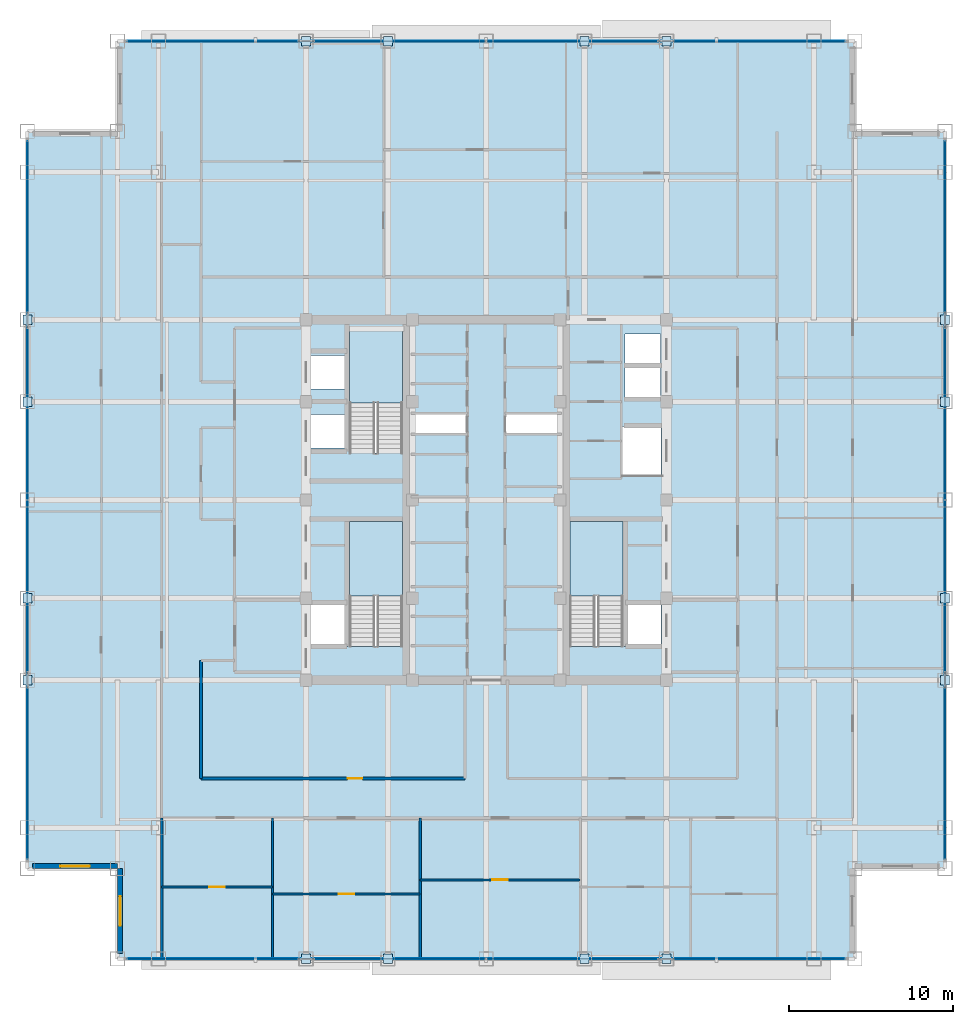
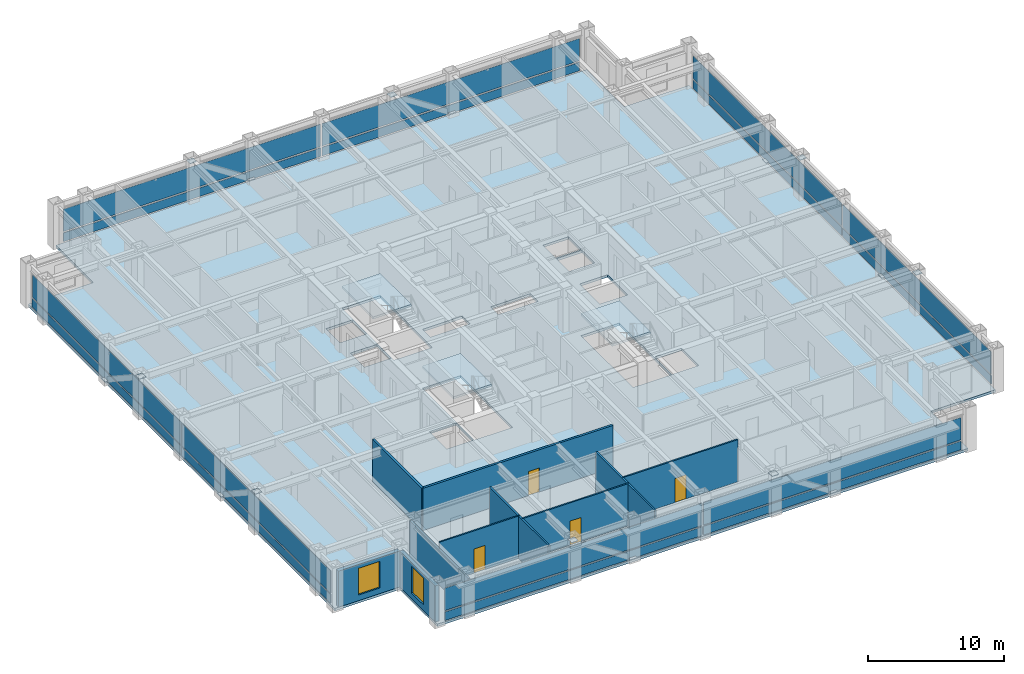
# One storey, part 19 of 29: 32 plates, 10 walls, 4 doors, 4 slabs, 2 windows, 6 openings, 7 elements without a shape of their own.
"""IFC4 building model written with IfcOpenShell, lengths in metres."""

from ifc_helpers import new_model, si_unit, direction, frame, frame_2d, origin, origin_2d, place, context, subcontext, project, spatial, polyline, rectangle, outline, extrude, source, transform, mapped, material, layer, layer_set, type_object, element, fill, aggregate, save


model = new_model("IFC4")

# Units and contexts
model_context = context("Model", 3, precision=1e-05, world=origin(), true_north=direction((0.0, 1.0)))
body_context = subcontext(model_context, "Body", "Model", "MODEL_VIEW")
ifc_project = project(units=[si_unit("LENGTHUNIT", "METRE"), si_unit("AREAUNIT", "SQUARE_METRE"), si_unit("VOLUMEUNIT", "CUBIC_METRE"), si_unit("PLANEANGLEUNIT", "RADIAN"), si_unit("MASSUNIT", "GRAM", prefix="KILO")], contexts=[model_context])

# Site, building, storey
site_placement = place(None, origin())
site = spatial("IfcSite", under=ifc_project, at=site_placement, CompositionType="ELEMENT")
building_placement = place(site_placement, origin())
building = spatial("IfcBuilding", under=site, at=building_placement, Name="Khorayat Bourse Tower", CompositionType="ELEMENT")
storey_placement = place(building_placement, frame((0.0, 0.0, 277.5)))
storey = spatial("IfcBuildingStorey", under=building, at=storey_placement, Name="L65", CompositionType="ELEMENT", Elevation=277.5)

# Stair, slab
ifc_material_1 = material(Name="Concrete C40/50", Category="concrete")
stair_type = type_object("IfcStairType", Name="STR-CORE-1550", PredefinedType="HALF_TURN_STAIR", material=ifc_material_1)
stair_1_placement = place(storey_placement, origin())
stair_1 = element("IfcStair", 1, at=stair_1_placement, inside=storey, type_object=stair_type, Name="L65 Exit Stair ST-1", PredefinedType="HALF_TURN_STAIR")
ifc_layer_1 = layer(ifc_material_1, 0.199951171875)
ifc_layer_set_1 = layer_set([ifc_layer_1], Name="Concrete C40/50")
slab_type_1 = type_object("IfcSlabType", Name="SLB-LANDING-200", PredefinedType="LANDING", material=ifc_layer_set_1)
slab_1_placement = place(storey_placement, frame((0.0, 0.0, 1.800048828125)))
slab_1 = element("IfcSlab", 2, at=slab_1_placement, type_object=slab_type_1, Name="ST-1 landing 1", PredefinedType="LANDING", context=body_context, shape_type="SweptSolid", body=[
    extrude(outline(polyline([(-5.10009765625, -5.8701171875), (-5.10009765625, -1.300048828125), (-8.35009765625, -1.300048828125), (-8.35009765625, -5.8701171875), (-5.10009765625, -5.8701171875)])), origin(), (0.0, 0.0, 1.0), 0.199951171875),
])
aggregate(stair_1, [slab_1])

stair_2_placement = place(storey_placement, origin())
stair_2 = element("IfcStair", 3, at=stair_2_placement, inside=storey, type_object=stair_type, Name="L65 Exit Stair ST-2", PredefinedType="HALF_TURN_STAIR")
slab_2_placement = place(storey_placement, frame((0.0, 0.0, 1.800048828125)))
slab_2 = element("IfcSlab", 4, at=slab_2_placement, type_object=slab_type_1, Name="ST-2 landing 1", PredefinedType="LANDING", context=body_context, shape_type="SweptSolid", body=[
    extrude(outline(polyline([(-5.10009765625, 5.929931640625), (-5.10009765625, 10.5), (-8.35009765625, 10.5), (-8.35009765625, 5.929931640625), (-5.10009765625, 5.929931640625)])), origin(), (0.0, 0.0, 1.0), 0.199951171875),
])
aggregate(stair_2, [slab_2])

stair_3_placement = place(storey_placement, origin())
stair_3 = element("IfcStair", 5, at=stair_3_placement, inside=storey, type_object=stair_type, Name="L65 Exit Stair ST-3", PredefinedType="HALF_TURN_STAIR")
slab_3_placement = place(storey_placement, frame((0.0, 0.0, 1.800048828125)))
slab_3 = element("IfcSlab", 6, at=slab_3_placement, type_object=slab_type_1, Name="ST-3 landing 1", PredefinedType="LANDING", context=body_context, shape_type="SweptSolid", body=[
    extrude(outline(polyline([(8.35009765625, -5.8701171875), (8.35009765625, -1.300048828125), (5.10009765625, -1.300048828125), (5.10009765625, -5.8701171875), (8.35009765625, -5.8701171875)])), origin(), (0.0, 0.0, 1.0), 0.199951171875),
])
aggregate(stair_3, [slab_3])

# Slab
ifc_layer_2 = layer(ifc_material_1, 0.219970703125)
ifc_layer_set_2 = layer_set([ifc_layer_2], Name="Concrete C40/50")
slab_type_2 = type_object("IfcSlabType", Name="SLB-OFFICE-220", PredefinedType="FLOOR", material=ifc_layer_set_2)
slab_4_placement = place(storey_placement, frame((0.0, 0.0, -0.219970703125)))
element("IfcSlab", 7, at=slab_4_placement, inside=storey, type_object=slab_type_2, Name="L65 Main Floor Slab", PredefinedType="FLOOR", context=body_context, shape_type="SweptSolid", body=[
    extrude(outline(polyline([(-22.5, -28.0), (22.5, -28.0), (22.5, -22.5), (28.0, -22.5), (28.0, 22.5), (22.5, 22.5), (22.5, 28.0), (-22.5, 28.0), (-22.5, 22.5), (-28.0, 22.5), (-28.0, -22.5), (-22.5, -22.5), (-22.5, -28.0)]), holes=[polyline([(-8.35009765625, -8.945068359375), (-5.10009765625, -8.945068359375), (-5.10009765625, -1.300048828125), (-8.35009765625, -1.300048828125), (-8.35009765625, -8.945068359375)]), polyline([(-8.35009765625, 2.85498046875), (-5.10009765625, 2.85498046875), (-5.10009765625, 10.5), (-8.35009765625, 10.5), (-8.35009765625, 2.85498046875)]), polyline([(5.10009765625, -8.945068359375), (8.35009765625, -8.945068359375), (8.35009765625, -1.300048828125), (5.10009765625, -1.300048828125), (5.10009765625, -8.945068359375)]), polyline([(-10.679931640625, 3.169921875), (-8.419921875, 3.169921875), (-8.419921875, 5.22998046875), (-10.679931640625, 5.22998046875), (-10.679931640625, 3.169921875)]), polyline([(-10.679931640625, 6.77001953125), (-8.419921875, 6.77001953125), (-8.419921875, 8.830078125), (-10.679931640625, 8.830078125), (-10.679931640625, 6.77001953125)]), polyline([(8.469970703125, 6.27001953125), (10.6298828125, 6.27001953125), (10.6298828125, 8.1298828125), (8.469970703125, 8.1298828125), (8.469970703125, 6.27001953125)]), polyline([(8.469970703125, 8.27001953125), (10.6298828125, 8.27001953125), (10.6298828125, 10.1298828125), (8.469970703125, 10.1298828125), (8.469970703125, 8.27001953125)]), polyline([(-10.679931640625, -8.929931640625), (-8.419921875, -8.929931640625), (-8.419921875, -6.3701171875), (-10.679931640625, -6.3701171875), (-10.679931640625, -8.929931640625)]), polyline([(8.419921875, -8.929931640625), (10.679931640625, -8.929931640625), (10.679931640625, -6.3701171875), (8.419921875, -6.3701171875), (8.419921875, -8.929931640625)]), polyline([(8.320068359375, 1.52001953125), (10.679931640625, 1.52001953125), (10.679931640625, 4.47998046875), (8.320068359375, 4.47998046875), (8.320068359375, 1.52001953125)]), polyline([(-4.56005859375, 4.080078125), (-1.18994140625, 4.080078125), (-1.18994140625, 5.219970703125), (-4.56005859375, 5.219970703125), (-4.56005859375, 4.080078125)]), polyline([(1.18994140625, 4.080078125), (4.56005859375, 4.080078125), (4.56005859375, 5.219970703125), (1.18994140625, 5.219970703125), (1.18994140625, 4.080078125)])]), origin(), (0.0, 0.0, 1.0), 0.219970703125),
])

# Plates
ifc_material_2 = material(Name="Steel EN 10025-2 S355J2", Category="steel")
ifc_layer_3 = layer(ifc_material_2, 0.02490234375)
ifc_layer_set_3 = layer_set([ifc_layer_3], Name="Steel EN 10025-2 S355J2")
plate_type_1 = type_object("IfcPlateType", Name="PLT-ENDCAP-25", PredefinedType="SHEET", material=ifc_layer_set_3)
shared_shape_1 = source(origin(), body_context, "Body", "SweptSolid", [
    extrude(rectangle(XDim=0.56005859375, YDim=0.56005859375, at=origin_2d()), origin(), (0.0, 0.0, 1.0), 0.02490234375),
])
for number, where, z_axis, x_axis, name in (
    (8, (-11.0, -28.0, 3.517578125), (0.0, 0.0, 1.0), (1.0, 0.0, 0.0), "L65 Perimeter Brace End Plate 001"),
    (9, (-6.0, -28.0, 0.237548828125), (0.0, 0.0, 1.0), (1.0, 0.0, 0.0), "L65 Perimeter Brace End Plate 002"),
    (10, (6.0, -28.0, 3.517578125), (0.0, 0.0, 1.0), (1.0, 0.0, 0.0), "L65 Perimeter Brace End Plate 003"),
    (11, (11.0, -28.0, 0.237548828125), (0.0, 0.0, 1.0), (1.0, 0.0, 0.0), "L65 Perimeter Brace End Plate 004"),
    (12, (-11.0, 28.0, 3.517578125), (0.0, 0.0, 1.0), (1.0, 0.0, 0.0), "L65 Perimeter Brace End Plate 005"),
    (13, (-6.0, 28.0, 0.237548828125), (0.0, 0.0, 1.0), (1.0, 0.0, 0.0), "L65 Perimeter Brace End Plate 006"),
    (14, (6.0, 28.0, 3.517578125), (0.0, 0.0, 1.0), (1.0, 0.0, 0.0), "L65 Perimeter Brace End Plate 007"),
    (15, (11.0, 28.0, 0.237548828125), (0.0, 0.0, 1.0), (1.0, 0.0, 0.0), "L65 Perimeter Brace End Plate 008"),
    (16, (-28.0, -11.0, 3.517578125), (0.0, 0.0, 1.0), (1.0, 0.0, 0.0), "L65 Perimeter Brace End Plate 009"),
    (17, (-28.0, -6.0, 0.237548828125), (0.0, 0.0, 1.0), (1.0, 0.0, 0.0), "L65 Perimeter Brace End Plate 010"),
    (18, (-28.0, 6.0, 3.517578125), (0.0, 0.0, 1.0), (1.0, 0.0, 0.0), "L65 Perimeter Brace End Plate 011"),
    (19, (-28.0, 11.0, 0.237548828125), (0.0, 0.0, 1.0), (1.0, 0.0, 0.0), "L65 Perimeter Brace End Plate 012"),
    (20, (28.0, -11.0, 3.517578125), (0.0, 0.0, 1.0), (1.0, 0.0, 0.0), "L65 Perimeter Brace End Plate 013"),
    (21, (28.0, -6.0, 0.237548828125), (0.0, 0.0, 1.0), (1.0, 0.0, 0.0), "L65 Perimeter Brace End Plate 014"),
    (22, (28.0, 6.0, 3.517578125), (0.0, 0.0, 1.0), (1.0, 0.0, 0.0), "L65 Perimeter Brace End Plate 015"),
    (23, (28.0, 11.0, 0.237548828125), (0.0, 0.0, 1.0), (1.0, 0.0, 0.0), "L65 Perimeter Brace End Plate 016"),
):
    element("IfcPlate", number, at=place(storey_placement, frame(where, z_axis=z_axis, x_axis=x_axis)), inside=storey, type_object=plate_type_1, Name=name, PredefinedType="SHEET", context=body_context, shape_type="MappedRepresentation", body=[
        mapped(shared_shape_1, transform((0.0, 0.0, 0.0), scale=1.0)),
    ])

# Curtain wall, plates
ifc_material_3 = material(Name="Aluminium EN AW-6063 T6", Category="aluminium")
curtain_wall_type = type_object("IfcCurtainWallType", Name="CW-SYS-04", PredefinedType="NOTDEFINED", material=ifc_material_3)
curtain_wall_1_placement = place(storey_placement, origin())
curtain_wall_1 = element("IfcCurtainWall", 24, at=curtain_wall_1_placement, inside=storey, type_object=curtain_wall_type, Name="L65 Curtain Wall CW-L65-S1", PredefinedType="NOTDEFINED")
ifc_material_4 = material(Name="Honed desert limestone insulated spandrel", Category="masonry")
ifc_layer_4 = layer(ifc_material_4, 0.06494140625)
ifc_layer_set_4 = layer_set([ifc_layer_4], Name="Honed desert limestone insulated spandrel")
plate_type_2 = type_object("IfcPlateType", Name="CWP-SPAND-03", PredefinedType="CURTAIN_PANEL", material=ifc_layer_set_4)
shared_shape_2 = source(origin(), body_context, "Body", "SweptSolid", [
    extrude(rectangle(XDim=21.820068359375, YDim=0.06494140625, at=origin_2d()), origin(), (0.0, 0.0, 1.0), 0.77001953125),
])
plate_1_placement = place(storey_placement, frame((-10.969970703125, -28.0, 0.119873046875), z_axis=(0.0, 0.0, 1.0), x_axis=(1.0, 0.0, 0.0)))
plate_1 = element("IfcPlate", 25, at=plate_1_placement, type_object=plate_type_2, Name="CW-L65-S1 Spandrel Panel 1-1", PredefinedType="CURTAIN_PANEL", context=body_context, shape_type="MappedRepresentation", body=[
    mapped(shared_shape_2, transform((0.0, 0.0, 0.0), scale=1.0)),
])
plate_2_placement = place(storey_placement, frame((10.969970703125, -28.0, 0.119873046875), z_axis=(0.0, 0.0, 1.0), x_axis=(1.0, 0.0, 0.0)))
plate_2 = element("IfcPlate", 26, at=plate_2_placement, type_object=plate_type_2, Name="CW-L65-S1 Spandrel Panel 2-1", PredefinedType="CURTAIN_PANEL", context=body_context, shape_type="MappedRepresentation", body=[
    mapped(shared_shape_2, transform((0.0, 0.0, 0.0), scale=1.0)),
])

curtain_wall_2_placement = place(storey_placement, origin())
curtain_wall_2 = element("IfcCurtainWall", 27, at=curtain_wall_2_placement, inside=storey, type_object=curtain_wall_type, Name="L65 Curtain Wall CW-L65-N1", PredefinedType="NOTDEFINED")
plate_3_placement = place(storey_placement, frame((-10.969970703125, 28.0, 0.119873046875), z_axis=(0.0, 0.0, 1.0), x_axis=(1.0, 0.0, 0.0)))
plate_3 = element("IfcPlate", 28, at=plate_3_placement, type_object=plate_type_2, Name="CW-L65-N1 Spandrel Panel 1-1", PredefinedType="CURTAIN_PANEL", context=body_context, shape_type="MappedRepresentation", body=[
    mapped(shared_shape_2, transform((0.0, 0.0, 0.0), scale=1.0)),
])
plate_4_placement = place(storey_placement, frame((10.969970703125, 28.0, 0.119873046875), z_axis=(0.0, 0.0, 1.0), x_axis=(1.0, 0.0, 0.0)))
plate_4 = element("IfcPlate", 29, at=plate_4_placement, type_object=plate_type_2, Name="CW-L65-N1 Spandrel Panel 2-1", PredefinedType="CURTAIN_PANEL", context=body_context, shape_type="MappedRepresentation", body=[
    mapped(shared_shape_2, transform((0.0, 0.0, 0.0), scale=1.0)),
])

curtain_wall_3_placement = place(storey_placement, origin())
curtain_wall_3 = element("IfcCurtainWall", 30, at=curtain_wall_3_placement, inside=storey, type_object=curtain_wall_type, Name="L65 Curtain Wall CW-L65-W1", PredefinedType="NOTDEFINED")
plate_5_placement = place(storey_placement, frame((-28.0, -10.969970703125, 0.119873046875), z_axis=(0.0, 0.0, 1.0), x_axis=(0.0, 1.0, 0.0)))
plate_5 = element("IfcPlate", 31, at=plate_5_placement, type_object=plate_type_2, Name="CW-L65-W1 Spandrel Panel 1-1", PredefinedType="CURTAIN_PANEL", context=body_context, shape_type="MappedRepresentation", body=[
    mapped(shared_shape_2, transform((0.0, 0.0, 0.0), scale=1.0)),
])
plate_6_placement = place(storey_placement, frame((-28.0, 10.969970703125, 0.119873046875), z_axis=(0.0, 0.0, 1.0), x_axis=(0.0, 1.0, 0.0)))
plate_6 = element("IfcPlate", 32, at=plate_6_placement, type_object=plate_type_2, Name="CW-L65-W1 Spandrel Panel 2-1", PredefinedType="CURTAIN_PANEL", context=body_context, shape_type="MappedRepresentation", body=[
    mapped(shared_shape_2, transform((0.0, 0.0, 0.0), scale=1.0)),
])

curtain_wall_4_placement = place(storey_placement, origin())
curtain_wall_4 = element("IfcCurtainWall", 33, at=curtain_wall_4_placement, inside=storey, type_object=curtain_wall_type, Name="L65 Curtain Wall CW-L65-E1", PredefinedType="NOTDEFINED")
plate_7_placement = place(storey_placement, frame((28.0, -10.969970703125, 0.119873046875), z_axis=(0.0, 0.0, 1.0), x_axis=(0.0, 1.0, 0.0)))
plate_7 = element("IfcPlate", 34, at=plate_7_placement, type_object=plate_type_2, Name="CW-L65-E1 Spandrel Panel 1-1", PredefinedType="CURTAIN_PANEL", context=body_context, shape_type="MappedRepresentation", body=[
    mapped(shared_shape_2, transform((0.0, 0.0, 0.0), scale=1.0)),
])
plate_8_placement = place(storey_placement, frame((28.0, 10.969970703125, 0.119873046875), z_axis=(0.0, 0.0, 1.0), x_axis=(0.0, 1.0, 0.0)))
plate_8 = element("IfcPlate", 35, at=plate_8_placement, type_object=plate_type_2, Name="CW-L65-E1 Spandrel Panel 2-1", PredefinedType="CURTAIN_PANEL", context=body_context, shape_type="MappedRepresentation", body=[
    mapped(shared_shape_2, transform((0.0, 0.0, 0.0), scale=1.0)),
])

# Plate
ifc_material_5 = material(Name="Low-E solar-control laminated double glazing", Category="glass")
ifc_layer_5 = layer(ifc_material_5, 0.0419921875)
ifc_layer_set_5 = layer_set([ifc_layer_5], Name="Low-E solar-control laminated double glazing")
plate_type_3 = type_object("IfcPlateType", Name="CWP-FACET-02", PredefinedType="CURTAIN_PANEL", material=ifc_layer_set_5)
shared_shape_3 = source(origin(), body_context, "Body", "SweptSolid", [
    extrude(rectangle(XDim=21.820068359375, YDim=0.0419921875, at=origin_2d()), origin(), (0.0, 0.0, 1.0), 2.0),
])
plate_9_placement = place(storey_placement, frame((-10.969970703125, -28.0, 1.010009765625), z_axis=(0.0, 0.0, 1.0), x_axis=(1.0, 0.0, 0.0)))
plate_9 = element("IfcPlate", 36, at=plate_9_placement, type_object=plate_type_3, Name="CW-L65-S1 Vision Panel 1-2", PredefinedType="CURTAIN_PANEL", context=body_context, shape_type="MappedRepresentation", body=[
    mapped(shared_shape_3, transform((0.0, 0.0, 0.0), scale=1.0)),
])

plate_10_placement = place(storey_placement, frame((10.969970703125, -28.0, 1.010009765625), z_axis=(0.0, 0.0, 1.0), x_axis=(1.0, 0.0, 0.0)))
plate_10 = element("IfcPlate", 37, at=plate_10_placement, type_object=plate_type_3, Name="CW-L65-S1 Vision Panel 2-2", PredefinedType="CURTAIN_PANEL", context=body_context, shape_type="MappedRepresentation", body=[
    mapped(shared_shape_3, transform((0.0, 0.0, 0.0), scale=1.0)),
])

aggregate(curtain_wall_1, [plate_1, plate_9, plate_2, plate_10])

plate_11_placement = place(storey_placement, frame((-10.969970703125, 28.0, 1.010009765625), z_axis=(0.0, 0.0, 1.0), x_axis=(1.0, 0.0, 0.0)))
plate_11 = element("IfcPlate", 38, at=plate_11_placement, type_object=plate_type_3, Name="CW-L65-N1 Vision Panel 1-2", PredefinedType="CURTAIN_PANEL", context=body_context, shape_type="MappedRepresentation", body=[
    mapped(shared_shape_3, transform((0.0, 0.0, 0.0), scale=1.0)),
])

plate_12_placement = place(storey_placement, frame((10.969970703125, 28.0, 1.010009765625), z_axis=(0.0, 0.0, 1.0), x_axis=(1.0, 0.0, 0.0)))
plate_12 = element("IfcPlate", 39, at=plate_12_placement, type_object=plate_type_3, Name="CW-L65-N1 Vision Panel 2-2", PredefinedType="CURTAIN_PANEL", context=body_context, shape_type="MappedRepresentation", body=[
    mapped(shared_shape_3, transform((0.0, 0.0, 0.0), scale=1.0)),
])

aggregate(curtain_wall_2, [plate_3, plate_11, plate_4, plate_12])

plate_13_placement = place(storey_placement, frame((-28.0, -10.969970703125, 1.010009765625), z_axis=(0.0, 0.0, 1.0), x_axis=(0.0, 1.0, 0.0)))
plate_13 = element("IfcPlate", 40, at=plate_13_placement, type_object=plate_type_3, Name="CW-L65-W1 Vision Panel 1-2", PredefinedType="CURTAIN_PANEL", context=body_context, shape_type="MappedRepresentation", body=[
    mapped(shared_shape_3, transform((0.0, 0.0, 0.0), scale=1.0)),
])

plate_14_placement = place(storey_placement, frame((-28.0, 10.969970703125, 1.010009765625), z_axis=(0.0, 0.0, 1.0), x_axis=(0.0, 1.0, 0.0)))
plate_14 = element("IfcPlate", 41, at=plate_14_placement, type_object=plate_type_3, Name="CW-L65-W1 Vision Panel 2-2", PredefinedType="CURTAIN_PANEL", context=body_context, shape_type="MappedRepresentation", body=[
    mapped(shared_shape_3, transform((0.0, 0.0, 0.0), scale=1.0)),
])

aggregate(curtain_wall_3, [plate_5, plate_13, plate_6, plate_14])

plate_15_placement = place(storey_placement, frame((28.0, -10.969970703125, 1.010009765625), z_axis=(0.0, 0.0, 1.0), x_axis=(0.0, 1.0, 0.0)))
plate_15 = element("IfcPlate", 42, at=plate_15_placement, type_object=plate_type_3, Name="CW-L65-E1 Vision Panel 1-2", PredefinedType="CURTAIN_PANEL", context=body_context, shape_type="MappedRepresentation", body=[
    mapped(shared_shape_3, transform((0.0, 0.0, 0.0), scale=1.0)),
])

plate_16_placement = place(storey_placement, frame((28.0, 10.969970703125, 1.010009765625), z_axis=(0.0, 0.0, 1.0), x_axis=(0.0, 1.0, 0.0)))
plate_16 = element("IfcPlate", 43, at=plate_16_placement, type_object=plate_type_3, Name="CW-L65-E1 Vision Panel 2-2", PredefinedType="CURTAIN_PANEL", context=body_context, shape_type="MappedRepresentation", body=[
    mapped(shared_shape_3, transform((0.0, 0.0, 0.0), scale=1.0)),
])

aggregate(curtain_wall_4, [plate_7, plate_15, plate_8, plate_16])

# Wall, opening, window
ifc_material_6 = material(Name="Precast concrete C45/55", Category="concrete")
ifc_layer_6 = layer(ifc_material_6, 0.320068359375)
ifc_layer_set_6 = layer_set([ifc_layer_6], Name="Precast concrete C45/55")
wall_type_1 = type_object("IfcWallType", Name="WAL-EXT-STONE-320", PredefinedType="STANDARD", material=ifc_layer_set_6)
shared_shape_4 = source(origin(), body_context, "Body", "SweptSolid", [
    extrude(rectangle(XDim=5.179931640625, YDim=0.320068359375, at=frame_2d((2.58984375, 0.0))), origin(), (0.0, 0.0, 1.0), 3.23095703125),
])
wall_1_placement = place(storey_placement, frame((-22.5, -22.340087890625, 0.0), z_axis=(0.0, 0.0, 1.0), x_axis=(-1.0, 0.0, 0.0)))
wall_1 = element("IfcWall", 44, at=wall_1_placement, inside=storey, type_object=wall_type_1, Name="L65 Re-Entrant Notch Limestone Wall SW-H", PredefinedType="STANDARD", context=body_context, shape_type="MappedRepresentation", body=[
    mapped(shared_shape_4, transform((0.0, 0.0, 0.0), scale=1.0)),
])
shared_shape_5 = source(origin(), body_context, "Body", "SweptSolid", [
    extrude(rectangle(XDim=1.800048828125, YDim=2.39990234375, at=frame_2d((0.89990234375, 1.199951171875))), frame((0.0, 0.169921875, 0.0), z_axis=(0.0, -1.0, 0.0), x_axis=(1.0, 0.0, 0.0)), (0.0, 0.0, 1.0), 0.340087890625),
])
opening_1_placement = place(wall_1_placement, frame((1.68994140625, 0.0, 0.5)))
opening_1 = element("IfcOpeningElement", 45, at=opening_1_placement, cuts=wall_1, Name="Opening WN-04", PredefinedType="OPENING", context=body_context, shape_type="MappedRepresentation", body=[
    mapped(shared_shape_5, transform((0.0, 0.0, 0.0), scale=1.0)),
])
ifc_material_7 = material(Name="Low-E acoustic laminated double glazing", Category="glass")
window_type = type_object("IfcWindowType", Name="WIN-NOTCH-1800x2400", PartitioningType="SINGLE_PANEL", PredefinedType="WINDOW", material=ifc_material_7)
shared_shape_6 = source(origin(), body_context, "Body", "SweptSolid", [
    extrude(rectangle(XDim=1.800048828125, YDim=2.39990234375, at=frame_2d((0.89990234375, 1.199951171875))), frame((0.0, 0.030029296875, 0.0), z_axis=(0.0, -1.0, 0.0), x_axis=(1.0, 0.0, 0.0)), (0.0, 0.0, 1.0), 0.06005859375),
])
window_1_placement = place(opening_1_placement, origin())
window_1 = element("IfcWindow", 46, at=window_1_placement, inside=storey, type_object=window_type, Name="L65 Facade Window 1", OverallHeight=2.39990234375, OverallWidth=1.800048828125, PartitioningType="SINGLE_PANEL", PredefinedType="WINDOW", context=body_context, shape_type="MappedRepresentation", body=[
    mapped(shared_shape_6, transform((0.0, 0.0, 0.0), scale=1.0)),
])
fill(opening_1, window_1)

wall_2_placement = place(storey_placement, frame((-22.340087890625, -27.679931640625, 0.0), z_axis=(0.0, 0.0, 1.0), x_axis=(0.0, 1.0, 0.0)))
wall_2 = element("IfcWall", 47, at=wall_2_placement, inside=storey, type_object=wall_type_1, Name="L65 Re-Entrant Notch Limestone Wall SW-V", PredefinedType="STANDARD", context=body_context, shape_type="MappedRepresentation", body=[
    mapped(shared_shape_4, transform((0.0, 0.0, 0.0), scale=1.0)),
])
opening_2_placement = place(wall_2_placement, frame((1.68994140625, 0.0, 0.5)))
opening_2 = element("IfcOpeningElement", 48, at=opening_2_placement, cuts=wall_2, Name="Opening WN-04", PredefinedType="OPENING", context=body_context, shape_type="MappedRepresentation", body=[
    mapped(shared_shape_5, transform((0.0, 0.0, 0.0), scale=1.0)),
])
window_2_placement = place(opening_2_placement, origin())
window_2 = element("IfcWindow", 49, at=window_2_placement, inside=storey, type_object=window_type, Name="L65 Facade Window 1", OverallHeight=2.39990234375, OverallWidth=1.800048828125, PartitioningType="SINGLE_PANEL", PredefinedType="WINDOW", context=body_context, shape_type="MappedRepresentation", body=[
    mapped(shared_shape_6, transform((0.0, 0.0, 0.0), scale=1.0)),
])
fill(opening_2, window_2)

# Wall, opening, door
ifc_material_8 = material(Name="Gypsum plasterboard acoustic stud wall")
ifc_layer_7 = layer(ifc_material_8, 0.179931640625)
ifc_layer_set_7 = layer_set([ifc_layer_7], Name="Gypsum plasterboard acoustic stud wall")
wall_type_2 = type_object("IfcWallType", Name="WAL-PART-CORR-180", PredefinedType="PARTITIONING", material=ifc_layer_set_7)
shared_shape_7 = source(origin(), body_context, "Body", "SweptSolid", [
    extrude(rectangle(XDim=16.099853515625, YDim=0.179931640625, at=frame_2d((8.0498046875, 0.0))), origin(), (0.0, 0.0, 1.0), 3.780029296875),
])
wall_3_placement = place(storey_placement, frame((-17.39990234375, -17.0, 0.0), z_axis=(0.0, 0.0, 1.0), x_axis=(1.0, 0.0, 0.0)))
wall_3 = element("IfcWall", 50, at=wall_3_placement, inside=storey, type_object=wall_type_2, Name="L65 Partition WAL-L65-PKSW-S", PredefinedType="PARTITIONING", context=body_context, shape_type="MappedRepresentation", body=[
    mapped(shared_shape_7, transform((0.0, 0.0, 0.0), scale=1.0)),
])
shared_shape_8 = source(origin(), body_context, "Body", "SweptSolid", [
    extrude(rectangle(XDim=0.89990234375, YDim=2.14990234375, at=frame_2d((0.449951171875, 1.074951171875))), frame((0.0, 0.099853515625, 0.0), z_axis=(0.0, -1.0, 0.0), x_axis=(1.0, 0.0, 0.0)), (0.0, 0.0, 1.0), 0.199951171875),
])
opening_3_placement = place(wall_3_placement, frame((8.949951171875, 0.0, 0.0)))
opening_3 = element("IfcOpeningElement", 51, at=opening_3_placement, cuts=wall_3, Name="Opening DI-06", PredefinedType="OPENING", context=body_context, shape_type="MappedRepresentation", body=[
    mapped(shared_shape_8, transform((0.0, 0.0, 0.0), scale=1.0)),
])
ifc_material_9 = material(Name="Moisture-resistant laminate washroom door")
door_type_1 = type_object("IfcDoorType", Name="DR-INT-WC-900", OperationType="NOTDEFINED", PredefinedType="DOOR", material=ifc_material_9)
shared_shape_9 = source(origin(), body_context, "Body", "SweptSolid", [
    extrude(rectangle(XDim=0.89990234375, YDim=2.14990234375, at=frame_2d((0.449951171875, 1.074951171875))), frame((0.0, 0.02490234375, 0.0), z_axis=(0.0, -1.0, 0.0), x_axis=(1.0, 0.0, 0.0)), (0.0, 0.0, 1.0), 0.050048828125),
])
door_1_placement = place(opening_3_placement, origin())
door_1 = element("IfcDoor", 52, at=door_1_placement, inside=storey, type_object=door_type_1, Name="L65 SW Inboard Pantry Door", OperationType="SINGLE_SWING_LEFT", OverallHeight=2.14990234375, OverallWidth=0.89990234375, PredefinedType="DOOR", context=body_context, shape_type="MappedRepresentation", body=[
    mapped(shared_shape_9, transform((0.0, 0.0, 0.0), scale=1.0)),
])
fill(opening_3, door_1)

# Wall
shared_shape_10 = source(origin(), body_context, "Body", "SweptSolid", [
    extrude(rectangle(XDim=7.199951171875, YDim=0.179931640625, at=frame_2d((3.60009765625, 0.0))), origin(), (0.0, 0.0, 1.0), 3.780029296875),
])
wall_4_placement = place(storey_placement, frame((-17.39990234375, -17.0, 0.0), z_axis=(0.0, 0.0, 1.0), x_axis=(0.0, 1.0, 0.0)))
element("IfcWall", 53, at=wall_4_placement, inside=storey, type_object=wall_type_2, Name="L65 Partition WAL-L65-PKSW-W", PredefinedType="PARTITIONING", context=body_context, shape_type="MappedRepresentation", body=[
    mapped(shared_shape_10, transform((0.0, 0.0, 0.0), scale=1.0)),
])

# Wall, opening, door
ifc_material_10 = material(Name="Gypsum plasterboard partition")
ifc_layer_8 = layer(ifc_material_10, 0.125)
ifc_layer_set_8 = layer_set([ifc_layer_8], Name="Gypsum plasterboard partition")
wall_type_3 = type_object("IfcWallType", Name="WAL-PART-ROOM-125", PredefinedType="PARTITIONING", material=ifc_layer_set_8)
shared_shape_11 = source(origin(), body_context, "Body", "SweptSolid", [
    extrude(rectangle(XDim=6.759033203125, YDim=0.125, at=frame_2d((3.37939453125, 0.0))), origin(), (0.0, 0.0, 1.0), 3.780029296875),
])
wall_5_placement = place(storey_placement, frame((-19.800048828125, -23.614013671875, 0.0), z_axis=(0.0, 0.0, 1.0), x_axis=(1.0, 0.0, 0.0)))
wall_5 = element("IfcWall", 54, at=wall_5_placement, inside=storey, type_object=wall_type_3, Name="L65 Partition WAL-L65-SDP-1", PredefinedType="PARTITIONING", context=body_context, shape_type="MappedRepresentation", body=[
    mapped(shared_shape_11, transform((0.0, 0.0, 0.0), scale=1.0)),
])
shared_shape_12 = source(origin(), body_context, "Body", "SweptSolid", [
    extrude(rectangle(XDim=0.949951171875, YDim=2.14990234375, at=frame_2d((0.47509765625, 1.074951171875))), frame((0.0, 0.072509765625, 0.0), z_axis=(0.0, -1.0, 0.0), x_axis=(1.0, 0.0, 0.0)), (0.0, 0.0, 1.0), 0.14501953125),
])
opening_4_placement = place(wall_5_placement, frame((2.904541015625, 0.0, 0.0)))
opening_4 = element("IfcOpeningElement", 55, at=opening_4_placement, cuts=wall_5, Name="Opening DI-05", PredefinedType="OPENING", context=body_context, shape_type="MappedRepresentation", body=[
    mapped(shared_shape_12, transform((0.0, 0.0, 0.0), scale=1.0)),
])
ifc_material_11 = material(Name="Acoustic oak veneer office door")
door_type_2 = type_object("IfcDoorType", Name="DR-INT-OFFICE-950", OperationType="NOTDEFINED", PredefinedType="DOOR", material=ifc_material_11)
shared_shape_13 = source(origin(), body_context, "Body", "SweptSolid", [
    extrude(rectangle(XDim=0.949951171875, YDim=2.14990234375, at=frame_2d((0.47509765625, 1.074951171875))), frame((0.0, 0.02490234375, 0.0), z_axis=(0.0, -1.0, 0.0), x_axis=(1.0, 0.0, 0.0)), (0.0, 0.0, 1.0), 0.050048828125),
])
door_2_placement = place(opening_4_placement, origin())
door_2 = element("IfcDoor", 56, at=door_2_placement, inside=storey, type_object=door_type_2, Name="L65 Clearing Operations Office S1B Door", OperationType="SINGLE_SWING_RIGHT", OverallHeight=2.14990234375, OverallWidth=0.949951171875, PredefinedType="DOOR", context=body_context, shape_type="MappedRepresentation", body=[
    mapped(shared_shape_13, transform((0.0, 0.0, 0.0), scale=1.0)),
])
fill(opening_4, door_2)

# Walls
ifc_material_12 = material(Name="Gypsum plasterboard twin-frame partition")
ifc_layer_9 = layer(ifc_material_12, 0.14990234375)
ifc_layer_set_9 = layer_set([ifc_layer_9], Name="Gypsum plasterboard twin-frame partition")
wall_type_4 = type_object("IfcWallType", Name="WAL-PART-SUITE-150", PredefinedType="PARTITIONING", material=ifc_layer_set_9)
shared_shape_14 = source(origin(), body_context, "Body", "SweptSolid", [
    extrude(rectangle(XDim=8.60009765625, YDim=0.14990234375, at=frame_2d((4.300048828125, 0.0))), origin(), (0.0, 0.0, 1.0), 3.780029296875),
])
for number, where, z_axis, x_axis, name in (
    (57, (-13.041015625, -28.0, 0.0), (0.0, 0.0, 1.0), (0.0, 1.0, 0.0), "L65 Partition WAL-L65-SDV-1"),
    (58, (-4.029052734375, -28.0, 0.0), (0.0, 0.0, 1.0), (0.0, 1.0, 0.0), "L65 Partition WAL-L65-SDV-2"),
):
    element("IfcWall", number, at=place(storey_placement, frame(where, z_axis=z_axis, x_axis=x_axis)), inside=storey, type_object=wall_type_4, Name=name, PredefinedType="PARTITIONING", context=body_context, shape_type="MappedRepresentation", body=[
        mapped(shared_shape_14, transform((0.0, 0.0, 0.0), scale=1.0)),
    ])

# Wall, opening, door
shared_shape_15 = source(origin(), body_context, "Body", "SweptSolid", [
    extrude(rectangle(XDim=9.011962890625, YDim=0.125, at=frame_2d((4.505859375, 0.0))), origin(), (0.0, 0.0, 1.0), 3.780029296875),
])
wall_6_placement = place(storey_placement, frame((-13.041015625, -24.0439453125, 0.0), z_axis=(0.0, 0.0, 1.0), x_axis=(1.0, 0.0, 0.0)))
wall_6 = element("IfcWall", 59, at=wall_6_placement, inside=storey, type_object=wall_type_3, Name="L65 Partition WAL-L65-SDP-2", PredefinedType="PARTITIONING", context=body_context, shape_type="MappedRepresentation", body=[
    mapped(shared_shape_15, transform((0.0, 0.0, 0.0), scale=1.0)),
])
opening_5_placement = place(wall_6_placement, frame((4.031005859375, 0.0, 0.0)))
opening_5 = element("IfcOpeningElement", 60, at=opening_5_placement, cuts=wall_6, Name="Opening DI-05", PredefinedType="OPENING", context=body_context, shape_type="MappedRepresentation", body=[
    mapped(shared_shape_12, transform((0.0, 0.0, 0.0), scale=1.0)),
])
door_3_placement = place(opening_5_placement, origin())
door_3 = element("IfcDoor", 61, at=door_3_placement, inside=storey, type_object=door_type_2, Name="L65 Equities Trading Desk S2B Door", OperationType="SINGLE_SWING_LEFT", OverallHeight=2.14990234375, OverallWidth=0.949951171875, PredefinedType="DOOR", context=body_context, shape_type="MappedRepresentation", body=[
    mapped(shared_shape_13, transform((0.0, 0.0, 0.0), scale=1.0)),
])
fill(opening_5, door_3)

shared_shape_16 = source(origin(), body_context, "Body", "SweptSolid", [
    extrude(rectangle(XDim=9.762939453125, YDim=0.125, at=frame_2d((4.88134765625, 0.0))), origin(), (0.0, 0.0, 1.0), 3.780029296875),
])
wall_7_placement = place(storey_placement, frame((-4.029052734375, -23.18408203125, 0.0), z_axis=(0.0, 0.0, 1.0), x_axis=(1.0, 0.0, 0.0)))
wall_7 = element("IfcWall", 62, at=wall_7_placement, inside=storey, type_object=wall_type_3, Name="L65 Partition WAL-L65-SDP-3", PredefinedType="PARTITIONING", context=body_context, shape_type="MappedRepresentation", body=[
    mapped(shared_shape_16, transform((0.0, 0.0, 0.0), scale=1.0)),
])
opening_6_placement = place(wall_7_placement, frame((4.406494140625, 0.0, 0.0)))
opening_6 = element("IfcOpeningElement", 63, at=opening_6_placement, cuts=wall_7, Name="Opening DI-05", PredefinedType="OPENING", context=body_context, shape_type="MappedRepresentation", body=[
    mapped(shared_shape_12, transform((0.0, 0.0, 0.0), scale=1.0)),
])
door_4_placement = place(opening_6_placement, origin())
door_4 = element("IfcDoor", 64, at=door_4_placement, inside=storey, type_object=door_type_2, Name="L65 Brokerage Member Kiosk S3B Door", OperationType="SINGLE_SWING_RIGHT", OverallHeight=2.14990234375, OverallWidth=0.949951171875, PredefinedType="DOOR", context=body_context, shape_type="MappedRepresentation", body=[
    mapped(shared_shape_13, transform((0.0, 0.0, 0.0), scale=1.0)),
])
fill(opening_6, door_4)

# Wall
shared_shape_17 = source(origin(), body_context, "Body", "SweptSolid", [
    extrude(rectangle(XDim=8.60009765625, YDim=0.14990234375, at=frame_2d((4.300048828125, 0.0))), origin(), (0.0, 0.0, 1.0), 3.1640625),
])
wall_8_placement = place(storey_placement, frame((-19.800048828125, -28.0, 0.0), z_axis=(0.0, 0.0, 1.0), x_axis=(0.0, 1.0, 0.0)))
element("IfcWall", 65, at=wall_8_placement, inside=storey, type_object=wall_type_4, Name="L65 Partition WAL-L65-SCW-END", PredefinedType="PARTITIONING", context=body_context, shape_type="MappedRepresentation", body=[
    mapped(shared_shape_17, transform((0.0, 0.0, 0.0), scale=1.0)),
])

save(model, "model.ifc")
